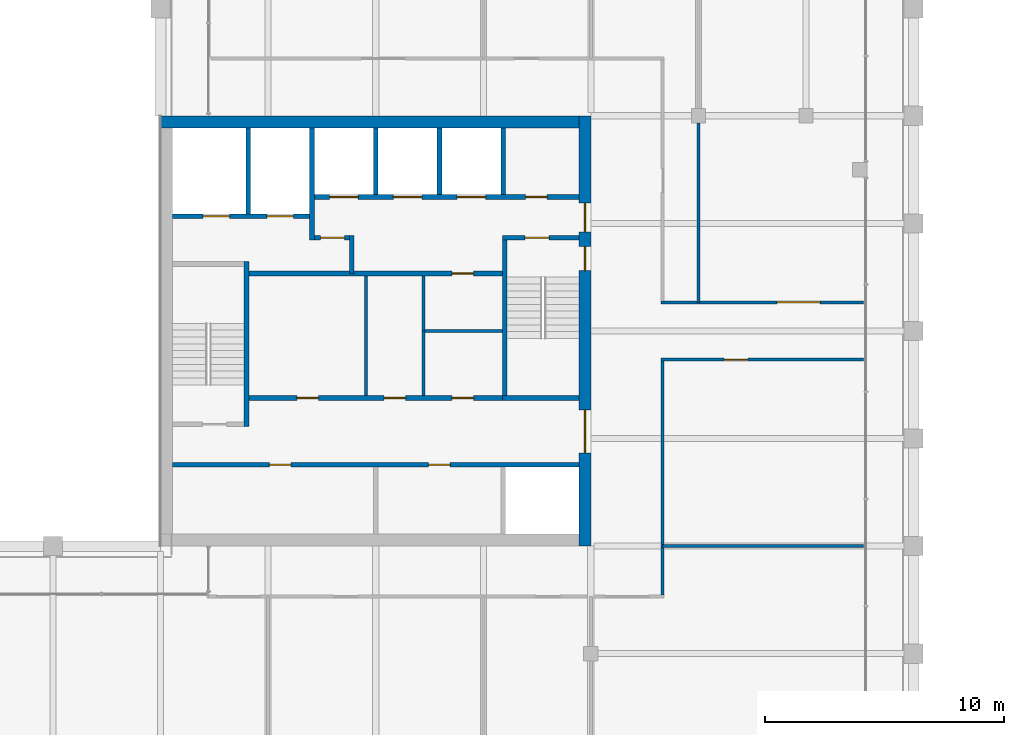
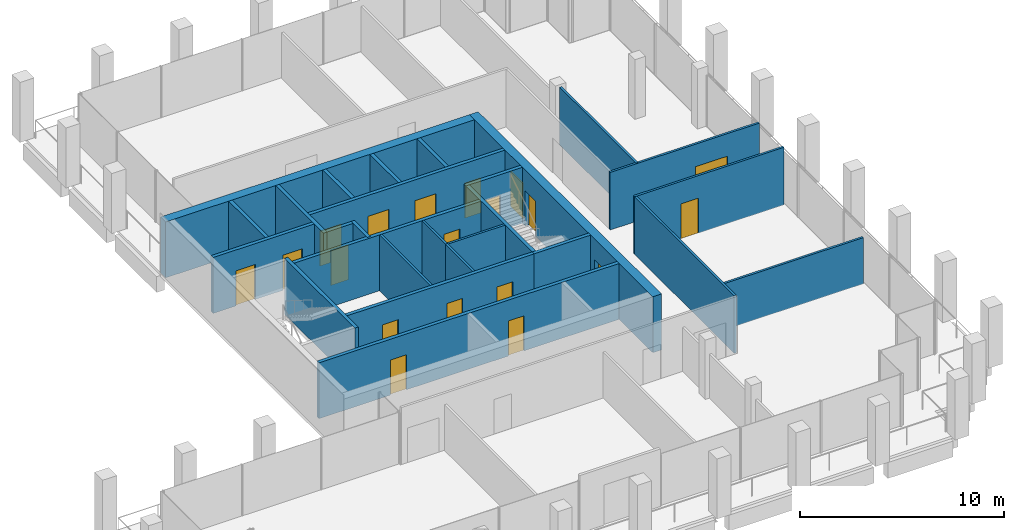
# One storey, part 36 of 40: 27 walls, 19 doors, 19 openings.
"""IFC4 building model written with IfcOpenShell, lengths in metres."""

from ifc_helpers import new_model, si_unit, direction, frame, frame_2d, origin, place, context, subcontext, project, spatial, rectangle, extrude, material, layer, layer_set, type_object, element, fill, save


model = new_model("IFC4")

# Units and contexts
model_context = context("Model", 3, precision=1e-05, world=origin(), true_north=direction((0.0, 1.0)))
body_context = subcontext(model_context, "Body", "Model", "MODEL_VIEW")
ifc_project = project(units=[si_unit("LENGTHUNIT", "METRE"), si_unit("AREAUNIT", "SQUARE_METRE"), si_unit("VOLUMEUNIT", "CUBIC_METRE"), si_unit("PLANEANGLEUNIT", "RADIAN"), si_unit("MASSUNIT", "GRAM", prefix="KILO")], contexts=[model_context])

# Site, building, storey
site_placement = place(None, origin())
site = spatial("IfcSite", under=ifc_project, at=site_placement, CompositionType="ELEMENT")
building_placement = place(site_placement, origin())
building = spatial("IfcBuilding", under=site, at=building_placement, Name="Altepetl Exchange Towers", CompositionType="ELEMENT")
storey_placement = place(building_placement, frame((0.0, 0.0, 202.800048828125)))
storey = spatial("IfcBuildingStorey", under=building, at=storey_placement, Name="L51", CompositionType="ELEMENT", Elevation=202.800048828125)

# Wall, openings, doors
ifc_material_1 = material(Name="Concrete C70/85", Category="concrete")
ifc_layer_1 = layer(ifc_material_1, 0.5)
ifc_layer_set_1 = layer_set([ifc_layer_1], Name="Concrete C70/85")
wall_type_1 = type_object("IfcWallType", Name="Core wall 500 reinforced concrete", PredefinedType="SHEAR", material=ifc_layer_set_1)
wall_1_placement = place(storey_placement, frame((58.25, 40.5, 0.0), z_axis=(0.0, 0.0, 1.0), x_axis=(0.0, 1.0, 0.0)))
wall_1 = element("IfcWall", 1, at=wall_1_placement, inside=storey, type_object=wall_type_1, Name="wall:A:L51:K-coreE", PredefinedType="SHEAR", context=body_context, shape_type="SweptSolid", body=[
    extrude(rectangle(XDim=18.0, YDim=0.5, at=frame_2d((9.0, 0.0))), origin(), (0.0, 0.0, 1.0), 3.349853515625),
])
opening_1_placement = place(wall_1_placement, frame((13.14990234375, 0.0, 0.0)))
opening_1 = element("IfcOpeningElement", 2, at=opening_1_placement, cuts=wall_1, Name="Opening L51.A60", PredefinedType="OPENING", context=body_context, shape_type="SweptSolid", body=[
    extrude(rectangle(XDim=1.199951171875, YDim=2.10009765625, at=frame_2d((0.60009765625, 1.050048828125))), frame((0.0, 0.260009765625, 0.0), z_axis=(0.0, -1.0, 0.0), x_axis=(1.0, 0.0, 0.0)), (0.0, 0.0, 1.0), 0.52001953125),
])
opening_2_placement = place(wall_1_placement, frame((3.89990234375, 0.0, 0.0)))
opening_2 = element("IfcOpeningElement", 3, at=opening_2_placement, cuts=wall_1, Name="Opening L51.A61", PredefinedType="OPENING", context=body_context, shape_type="SweptSolid", body=[
    extrude(rectangle(XDim=1.800048828125, YDim=2.10009765625, at=frame_2d((0.89990234375, 1.050048828125))), frame((0.0, 0.260009765625, 0.0), z_axis=(0.0, -1.0, 0.0), x_axis=(1.0, 0.0, 0.0)), (0.0, 0.0, 1.0), 0.52001953125),
])
opening_3_placement = place(wall_1_placement, frame((11.52490234375, 0.0, 0.0)))
opening_3 = element("IfcOpeningElement", 4, at=opening_3_placement, cuts=wall_1, Name="Opening L51.A64", PredefinedType="OPENING", context=body_context, shape_type="SweptSolid", body=[
    extrude(rectangle(XDim=1.0, YDim=2.10009765625, at=frame_2d((0.5, 1.050048828125))), frame((0.0, 0.260009765625, 0.0), z_axis=(0.0, -1.0, 0.0), x_axis=(1.0, 0.0, 0.0)), (0.0, 0.0, 1.0), 0.52001953125),
])
ifc_material_2 = material(Name="Steel and timber fire door", Category="steel")
door_type_1 = type_object("IfcDoorType", Name="Fire door 1000 x 2100 stair and lobby", OperationType="SINGLE_SWING_LEFT", PredefinedType="DOOR", material=ifc_material_2)
door_1_placement = place(opening_3_placement, origin())
door_1 = element("IfcDoor", 5, at=door_1_placement, inside=storey, type_object=door_type_1, Name="door:A:L51:K-dS2x", OperationType="SINGLE_SWING_RIGHT", OverallHeight=2.10009765625, OverallWidth=1.0, PredefinedType="DOOR", context=body_context, shape_type="SweptSolid", body=[
    extrude(rectangle(XDim=1.0, YDim=2.10009765625, at=frame_2d((0.5, 1.050048828125))), frame((0.0, 0.02490234375, 0.0), z_axis=(0.0, -1.0, 0.0), x_axis=(1.0, 0.0, 0.0)), (0.0, 0.0, 1.0), 0.050048828125),
])
fill(opening_3, door_1)
door_type_2 = type_object("IfcDoorType", Name="Fire door 1200 x 2100 lobby entry", OperationType="SINGLE_SWING_LEFT", PredefinedType="DOOR", material=ifc_material_2)
door_2_placement = place(opening_1_placement, origin())
door_2 = element("IfcDoor", 6, at=door_2_placement, inside=storey, type_object=door_type_2, Name="door:A:L51:K-dLNE", OperationType="SINGLE_SWING_RIGHT", OverallHeight=2.10009765625, OverallWidth=1.199951171875, PredefinedType="DOOR", context=body_context, shape_type="SweptSolid", body=[
    extrude(rectangle(XDim=1.199951171875, YDim=2.10009765625, at=frame_2d((0.60009765625, 1.050048828125))), frame((0.0, 0.02490234375, 0.0), z_axis=(0.0, -1.0, 0.0), x_axis=(1.0, 0.0, 0.0)), (0.0, 0.0, 1.0), 0.050048828125),
])
fill(opening_1, door_2)
door_type_3 = type_object("IfcDoorType", Name="Fire door 1800 x 2100 lobby entry", OperationType="DOUBLE_DOOR_SINGLE_SWING", PredefinedType="DOOR", material=ifc_material_2)
door_3_placement = place(opening_2_placement, origin())
door_3 = element("IfcDoor", 7, at=door_3_placement, inside=storey, type_object=door_type_3, Name="door:A:L51:K-dLSE", OperationType="DOUBLE_DOOR_SINGLE_SWING", OverallHeight=2.10009765625, OverallWidth=1.800048828125, PredefinedType="DOOR", context=body_context, shape_type="SweptSolid", body=[
    extrude(rectangle(XDim=1.800048828125, YDim=2.10009765625, at=frame_2d((0.89990234375, 1.050048828125))), frame((0.0, 0.02490234375, 0.0), z_axis=(0.0, -1.0, 0.0), x_axis=(1.0, 0.0, 0.0)), (0.0, 0.0, 1.0), 0.050048828125),
])
fill(opening_2, door_3)

# Walls
wall_2_placement = place(storey_placement, frame((40.5, 58.25, 0.0)))
element("IfcWall", 8, at=wall_2_placement, inside=storey, type_object=wall_type_1, Name="wall:A:L51:K-coreN", PredefinedType="SHEAR", context=body_context, shape_type="SweptSolid", body=[
    extrude(rectangle(XDim=17.5, YDim=0.5, at=frame_2d((8.75, 0.0))), origin(), (0.0, 0.0, 1.0), 3.349853515625),
])
ifc_material_3 = material(Name="Concrete blockwork", Category="masonry")
ifc_layer_2 = layer(ifc_material_3, 0.199951171875)
ifc_layer_set_2 = layer_set([ifc_layer_2], Name="Concrete blockwork")
wall_type_2 = type_object("IfcWallType", Name="Lobby wall 200 blockwork", PredefinedType="PARTITIONING", material=ifc_layer_set_2)
wall_3_placement = place(storey_placement, frame((48.5, 51.89990234375, 0.0), z_axis=(0.0, 0.0, 1.0), x_axis=(0.0, 1.0, 0.0)))
element("IfcWall", 9, at=wall_3_placement, inside=storey, type_object=wall_type_2, Name="wall:A:L51:K-ffE", PredefinedType="PARTITIONING", context=body_context, shape_type="SweptSolid", body=[
    extrude(rectangle(XDim=1.60009765625, YDim=0.199951171875, at=frame_2d((0.800048828125, 0.0))), origin(), (0.0, 0.0, 1.0), 3.349853515625),
])

# Wall, opening, door
wall_4_placement = place(storey_placement, frame((46.933349609375, 53.39990234375, 0.0)))
wall_4 = element("IfcWall", 10, at=wall_4_placement, inside=storey, type_object=wall_type_2, Name="wall:A:L51:K-ffN", PredefinedType="PARTITIONING", context=body_context, shape_type="SweptSolid", body=[
    extrude(rectangle(XDim=1.466552734375, YDim=0.199951171875, at=frame_2d((0.7333984375, 0.0))), origin(), (0.0, 0.0, 1.0), 3.349853515625),
])
opening_4_placement = place(wall_4_placement, frame((0.2666015625, 0.0, 0.0)))
opening_4 = element("IfcOpeningElement", 11, at=opening_4_placement, cuts=wall_4, Name="Opening L51.A65", PredefinedType="OPENING", context=body_context, shape_type="SweptSolid", body=[
    extrude(rectangle(XDim=1.0, YDim=2.10009765625, at=frame_2d((0.5, 1.050048828125))), frame((0.0, 0.10986328125, 0.0), z_axis=(0.0, -1.0, 0.0), x_axis=(1.0, 0.0, 0.0)), (0.0, 0.0, 1.0), 0.219970703125),
])
door_4_placement = place(opening_4_placement, frame((1.0, 0.0, 0.0), x_axis=(-1.0, 0.0, 0.0)))
door_4 = element("IfcDoor", 12, at=door_4_placement, inside=storey, type_object=door_type_1, Name="door:A:L51:K-dffN", OperationType="SINGLE_SWING_RIGHT", OverallHeight=2.10009765625, OverallWidth=1.0, PredefinedType="DOOR", context=body_context, shape_type="SweptSolid", body=[
    extrude(rectangle(XDim=1.0, YDim=2.10009765625, at=frame_2d((0.5, 1.050048828125))), frame((0.0, 0.02490234375, 0.0), z_axis=(0.0, -1.0, 0.0), x_axis=(1.0, 0.0, 0.0)), (0.0, 0.0, 1.0), 0.050048828125),
])
fill(opening_4, door_4)

wall_5_placement = place(storey_placement, frame((44.199951171875, 51.89990234375, 0.0)))
wall_5 = element("IfcWall", 13, at=wall_5_placement, inside=storey, type_object=wall_type_2, Name="wall:A:L51:K-zoneN", PredefinedType="PARTITIONING", context=body_context, shape_type="SweptSolid", body=[
    extrude(rectangle(XDim=10.60009765625, YDim=0.199951171875, at=frame_2d((5.300048828125, 0.0))), origin(), (0.0, 0.0, 1.0), 3.349853515625),
])
opening_5_placement = place(wall_5_placement, frame((8.5, 0.0, 0.0)))
opening_5 = element("IfcOpeningElement", 14, at=opening_5_placement, cuts=wall_5, Name="Opening L51.A71", PredefinedType="OPENING", context=body_context, shape_type="SweptSolid", body=[
    extrude(rectangle(XDim=0.89990234375, YDim=2.10009765625, at=frame_2d((0.449951171875, 1.050048828125))), frame((0.0, 0.10986328125, 0.0), z_axis=(0.0, -1.0, 0.0), x_axis=(1.0, 0.0, 0.0)), (0.0, 0.0, 1.0), 0.219970703125),
])
door_type_4 = type_object("IfcDoorType", Name="Fire door 900 x 2100 service room", OperationType="SINGLE_SWING_LEFT", PredefinedType="DOOR", material=ifc_material_2)
door_5_placement = place(opening_5_placement, frame((0.89990234375, 0.0, 0.0), x_axis=(-1.0, 0.0, 0.0)))
door_5 = element("IfcDoor", 15, at=door_5_placement, inside=storey, type_object=door_type_4, Name="door:A:L51:K-dz3", OperationType="SINGLE_SWING_LEFT", OverallHeight=2.10009765625, OverallWidth=0.89990234375, PredefinedType="DOOR", context=body_context, shape_type="SweptSolid", body=[
    extrude(rectangle(XDim=0.89990234375, YDim=2.10009765625, at=frame_2d((0.449951171875, 1.050048828125))), frame((0.0, 0.02490234375, 0.0), z_axis=(0.0, -1.0, 0.0), x_axis=(1.0, 0.0, 0.0)), (0.0, 0.0, 1.0), 0.050048828125),
])
fill(opening_5, door_5)

# Wall, openings, doors
wall_6_placement = place(storey_placement, frame((44.199951171875, 46.699951171875, 0.0)))
wall_6 = element("IfcWall", 16, at=wall_6_placement, inside=storey, type_object=wall_type_2, Name="wall:A:L51:K-zoneS", PredefinedType="PARTITIONING", context=body_context, shape_type="SweptSolid", body=[
    extrude(rectangle(XDim=10.60009765625, YDim=0.199951171875, at=frame_2d((5.300048828125, 0.0))), origin(), (0.0, 0.0, 1.0), 3.349853515625),
])
opening_6_placement = place(wall_6_placement, frame((2.0, 0.0, 0.0)))
opening_6 = element("IfcOpeningElement", 17, at=opening_6_placement, cuts=wall_6, Name="Opening L51.A69", PredefinedType="OPENING", context=body_context, shape_type="SweptSolid", body=[
    extrude(rectangle(XDim=0.89990234375, YDim=2.10009765625, at=frame_2d((0.449951171875, 1.050048828125))), frame((0.0, 0.10986328125, 0.0), z_axis=(0.0, -1.0, 0.0), x_axis=(1.0, 0.0, 0.0)), (0.0, 0.0, 1.0), 0.219970703125),
])
opening_7_placement = place(wall_6_placement, frame((5.64990234375, 0.0, 0.0)))
opening_7 = element("IfcOpeningElement", 18, at=opening_7_placement, cuts=wall_6, Name="Opening L51.A70", PredefinedType="OPENING", context=body_context, shape_type="SweptSolid", body=[
    extrude(rectangle(XDim=0.89990234375, YDim=2.10009765625, at=frame_2d((0.449951171875, 1.050048828125))), frame((0.0, 0.10986328125, 0.0), z_axis=(0.0, -1.0, 0.0), x_axis=(1.0, 0.0, 0.0)), (0.0, 0.0, 1.0), 0.219970703125),
])
opening_8_placement = place(wall_6_placement, frame((8.5, 0.0, 0.0)))
opening_8 = element("IfcOpeningElement", 19, at=opening_8_placement, cuts=wall_6, Name="Opening L51.A72", PredefinedType="OPENING", context=body_context, shape_type="SweptSolid", body=[
    extrude(rectangle(XDim=0.89990234375, YDim=2.10009765625, at=frame_2d((0.449951171875, 1.050048828125))), frame((0.0, 0.10986328125, 0.0), z_axis=(0.0, -1.0, 0.0), x_axis=(1.0, 0.0, 0.0)), (0.0, 0.0, 1.0), 0.219970703125),
])
door_6_placement = place(opening_6_placement, origin())
door_6 = element("IfcDoor", 20, at=door_6_placement, inside=storey, type_object=door_type_4, Name="door:A:L51:K-dz1", OperationType="SINGLE_SWING_LEFT", OverallHeight=2.10009765625, OverallWidth=0.89990234375, PredefinedType="DOOR", context=body_context, shape_type="SweptSolid", body=[
    extrude(rectangle(XDim=0.89990234375, YDim=2.10009765625, at=frame_2d((0.449951171875, 1.050048828125))), frame((0.0, 0.02490234375, 0.0), z_axis=(0.0, -1.0, 0.0), x_axis=(1.0, 0.0, 0.0)), (0.0, 0.0, 1.0), 0.050048828125),
])
fill(opening_6, door_6)
door_7_placement = place(opening_7_placement, origin())
door_7 = element("IfcDoor", 21, at=door_7_placement, inside=storey, type_object=door_type_4, Name="door:A:L51:K-dz2", OperationType="SINGLE_SWING_RIGHT", OverallHeight=2.10009765625, OverallWidth=0.89990234375, PredefinedType="DOOR", context=body_context, shape_type="SweptSolid", body=[
    extrude(rectangle(XDim=0.89990234375, YDim=2.10009765625, at=frame_2d((0.449951171875, 1.050048828125))), frame((0.0, 0.02490234375, 0.0), z_axis=(0.0, -1.0, 0.0), x_axis=(1.0, 0.0, 0.0)), (0.0, 0.0, 1.0), 0.050048828125),
])
fill(opening_7, door_7)
door_8_placement = place(opening_8_placement, origin())
door_8 = element("IfcDoor", 22, at=door_8_placement, inside=storey, type_object=door_type_4, Name="door:A:L51:K-dz4", OperationType="SINGLE_SWING_RIGHT", OverallHeight=2.10009765625, OverallWidth=0.89990234375, PredefinedType="DOOR", context=body_context, shape_type="SweptSolid", body=[
    extrude(rectangle(XDim=0.89990234375, YDim=2.10009765625, at=frame_2d((0.449951171875, 1.050048828125))), frame((0.0, 0.02490234375, 0.0), z_axis=(0.0, -1.0, 0.0), x_axis=(1.0, 0.0, 0.0)), (0.0, 0.0, 1.0), 0.050048828125),
])
fill(opening_8, door_8)

# Walls
ifc_material_4 = material(Name="Gypsum board on steel studs", Category="steel")
ifc_layer_3 = layer(ifc_material_4, 0.125)
ifc_layer_set_3 = layer_set([ifc_layer_3], Name="Gypsum board on steel studs")
wall_type_3 = type_object("IfcWallType", Name="Partition 125 gypsum board on steel studs", PredefinedType="PARTITIONING", material=ifc_layer_set_3)
wall_7_placement = place(storey_placement, frame((49.10009765625, 46.800048828125, 0.0), z_axis=(0.0, 0.0, 1.0), x_axis=(0.0, 1.0, 0.0)))
element("IfcWall", 23, at=wall_7_placement, inside=storey, type_object=wall_type_3, Name="wall:A:L51:K-zp1", PredefinedType="PARTITIONING", context=body_context, shape_type="SweptSolid", body=[
    extrude(rectangle(XDim=5.0, YDim=0.125, at=frame_2d((2.5, 0.0))), origin(), (0.0, 0.0, 1.0), 3.349853515625),
])
wall_8_placement = place(storey_placement, frame((51.5, 46.800048828125, 0.0), z_axis=(0.0, 0.0, 1.0), x_axis=(0.0, 1.0, 0.0)))
element("IfcWall", 24, at=wall_8_placement, inside=storey, type_object=wall_type_3, Name="wall:A:L51:K-zp2", PredefinedType="PARTITIONING", context=body_context, shape_type="SweptSolid", body=[
    extrude(rectangle(XDim=2.762451171875, YDim=0.125, at=frame_2d((1.38134765625, 0.0))), origin(), (0.0, 0.0, 1.0), 3.349853515625),
])
wall_9_placement = place(storey_placement, frame((51.5625, 49.5, 0.0)))
element("IfcWall", 25, at=wall_9_placement, inside=storey, type_object=wall_type_3, Name="wall:A:L51:K-zp3", PredefinedType="PARTITIONING", context=body_context, shape_type="SweptSolid", body=[
    extrude(rectangle(XDim=3.237548828125, YDim=0.125, at=frame_2d((1.61865234375, 0.0))), origin(), (0.0, 0.0, 1.0), 3.349853515625),
])
wall_10_placement = place(storey_placement, frame((51.5, 49.5, 0.0), z_axis=(0.0, 0.0, 1.0), x_axis=(0.0, 1.0, 0.0)))
element("IfcWall", 26, at=wall_10_placement, inside=storey, type_object=wall_type_3, Name="wall:A:L51:K-zp4", PredefinedType="PARTITIONING", context=body_context, shape_type="SweptSolid", body=[
    extrude(rectangle(XDim=2.300048828125, YDim=0.125, at=frame_2d((1.14990234375, 0.0))), origin(), (0.0, 0.0, 1.0), 3.349853515625),
])
wall_11_placement = place(storey_placement, frame((61.5, 40.5, 0.0)))
element("IfcWall", 27, at=wall_11_placement, inside=storey, type_object=wall_type_3, Name="wall:A:L51:P02", PredefinedType="PARTITIONING", context=body_context, shape_type="SweptSolid", body=[
    extrude(rectangle(XDim=8.39990234375, YDim=0.125, at=frame_2d((4.199951171875, 0.0))), origin(), (0.0, 0.0, 1.0), 2.77197265625),
])

# Wall, opening, door
wall_12_placement = place(storey_placement, frame((61.4375, 48.300048828125, 0.0)))
wall_12 = element("IfcWall", 28, at=wall_12_placement, inside=storey, type_object=wall_type_3, Name="wall:A:L51:P03", PredefinedType="PARTITIONING", context=body_context, shape_type="SweptSolid", body=[
    extrude(rectangle(XDim=8.46240234375, YDim=0.125, at=frame_2d((4.231201171875, 0.0))), origin(), (0.0, 0.0, 1.0), 3.449951171875),
])
opening_9_placement = place(wall_12_placement, frame((2.62451171875, 0.0, 0.0)))
opening_9 = element("IfcOpeningElement", 29, at=opening_9_placement, cuts=wall_12, Name="Opening L51.A05", PredefinedType="OPENING", context=body_context, shape_type="SweptSolid", body=[
    extrude(rectangle(XDim=1.0, YDim=2.10009765625, at=frame_2d((0.5, 1.050048828125))), frame((0.0, 0.072509765625, 0.0), z_axis=(0.0, -1.0, 0.0), x_axis=(1.0, 0.0, 0.0)), (0.0, 0.0, 1.0), 0.14501953125),
])
door_type_5 = type_object("IfcDoorType", Name="Fire door 1000 x 2100 single leaf", OperationType="SINGLE_SWING_LEFT", PredefinedType="DOOR", material=ifc_material_2)
door_9_placement = place(opening_9_placement, frame((1.0, 0.0, 0.0), x_axis=(-1.0, 0.0, 0.0)))
door_9 = element("IfcDoor", 30, at=door_9_placement, inside=storey, type_object=door_type_5, Name="door:A:L51:05", OperationType="SINGLE_SWING_LEFT", OverallHeight=2.10009765625, OverallWidth=1.0, PredefinedType="DOOR", context=body_context, shape_type="SweptSolid", body=[
    extrude(rectangle(XDim=1.0, YDim=2.10009765625, at=frame_2d((0.5, 1.050048828125))), frame((0.0, 0.02490234375, 0.0), z_axis=(0.0, -1.0, 0.0), x_axis=(1.0, 0.0, 0.0)), (0.0, 0.0, 1.0), 0.050048828125),
])
fill(opening_9, door_9)

wall_13_placement = place(storey_placement, frame((61.4375, 50.699951171875, 0.0)))
wall_13 = element("IfcWall", 31, at=wall_13_placement, inside=storey, type_object=wall_type_3, Name="wall:A:L51:P04", PredefinedType="PARTITIONING", context=body_context, shape_type="SweptSolid", body=[
    extrude(rectangle(XDim=8.46240234375, YDim=0.125, at=frame_2d((4.231201171875, 0.0))), origin(), (0.0, 0.0, 1.0), 3.449951171875),
])
opening_10_placement = place(wall_13_placement, frame((4.847412109375, 0.0, 0.0)))
opening_10 = element("IfcOpeningElement", 32, at=opening_10_placement, cuts=wall_13, Name="Opening L51.A06", PredefinedType="OPENING", context=body_context, shape_type="SweptSolid", body=[
    extrude(rectangle(XDim=1.800048828125, YDim=2.10009765625, at=frame_2d((0.89990234375, 1.050048828125))), frame((0.0, 0.072509765625, 0.0), z_axis=(0.0, -1.0, 0.0), x_axis=(1.0, 0.0, 0.0)), (0.0, 0.0, 1.0), 0.14501953125),
])
door_type_6 = type_object("IfcDoorType", Name="Fire door 1800 x 2100 double leaf", OperationType="DOUBLE_DOOR_SINGLE_SWING", PredefinedType="DOOR", material=ifc_material_2)
door_10_placement = place(opening_10_placement, origin())
door_10 = element("IfcDoor", 33, at=door_10_placement, inside=storey, type_object=door_type_6, Name="door:A:L51:06", OperationType="DOUBLE_DOOR_SINGLE_SWING", OverallHeight=2.10009765625, OverallWidth=1.800048828125, PredefinedType="DOOR", context=body_context, shape_type="SweptSolid", body=[
    extrude(rectangle(XDim=1.800048828125, YDim=2.10009765625, at=frame_2d((0.89990234375, 1.050048828125))), frame((0.0, 0.02490234375, 0.0), z_axis=(0.0, -1.0, 0.0), x_axis=(1.0, 0.0, 0.0)), (0.0, 0.0, 1.0), 0.050048828125),
])
fill(opening_10, door_10)

# Walls
wall_14_placement = place(storey_placement, frame((61.5, 38.46240234375, 0.0), z_axis=(0.0, 0.0, 1.0), x_axis=(0.0, 1.0, 0.0)))
element("IfcWall", 34, at=wall_14_placement, inside=storey, type_object=wall_type_3, Name="wall:A:L51:P13", PredefinedType="PARTITIONING", context=body_context, shape_type="SweptSolid", body=[
    extrude(rectangle(XDim=9.775146484375, YDim=0.125, at=frame_2d((4.8876953125, 0.0))), origin(), (0.0, 0.0, 1.0), 3.449951171875),
])
wall_15_placement = place(storey_placement, frame((63.0, 50.699951171875, 0.0), z_axis=(0.0, 0.0, 1.0), x_axis=(0.0, 1.0, 0.0)))
element("IfcWall", 35, at=wall_15_placement, inside=storey, type_object=wall_type_3, Name="wall:A:L51:P15", PredefinedType="PARTITIONING", context=body_context, shape_type="SweptSolid", body=[
    extrude(rectangle(XDim=7.5, YDim=0.125, at=frame_2d((3.75, 0.0))), origin(), (0.0, 0.0, 1.0), 3.449951171875),
])
ifc_material_5 = material(Name="Concrete C40/50", Category="concrete")
ifc_layer_4 = layer(ifc_material_5, 0.199951171875)
ifc_layer_set_4 = layer_set([ifc_layer_4], Name="Concrete C40/50")
wall_type_4 = type_object("IfcWallType", Name="Shaft wall 200 reinforced concrete", PredefinedType="SHEAR", material=ifc_layer_set_4)
wall_16_placement = place(storey_placement, frame((44.166748046875, 58.0, 0.0), z_axis=(0.0, 0.0, 1.0), x_axis=(0.0, -1.0, 0.0)))
element("IfcWall", 36, at=wall_16_placement, inside=storey, type_object=wall_type_4, Name="wall:A:L51:K-divN1", PredefinedType="SHEAR", context=body_context, shape_type="SweptSolid", body=[
    extrude(rectangle(XDim=3.60009765625, YDim=0.199951171875, at=frame_2d((1.800048828125, 0.0))), origin(), (0.0, 0.0, 1.0), 3.349853515625),
])
wall_17_placement = place(storey_placement, frame((46.833251953125, 58.0, 0.0), z_axis=(0.0, 0.0, 1.0), x_axis=(0.0, -1.0, 0.0)))
element("IfcWall", 37, at=wall_17_placement, inside=storey, type_object=wall_type_4, Name="wall:A:L51:K-divN2", PredefinedType="SHEAR", context=body_context, shape_type="SweptSolid", body=[
    extrude(rectangle(XDim=4.699951171875, YDim=0.199951171875, at=frame_2d((2.35009765625, 0.0))), origin(), (0.0, 0.0, 1.0), 3.349853515625),
])
for number, where, z_axis, x_axis, name in (
    (38, (49.5, 58.0, 0.0), (0.0, 0.0, 1.0), (0.0, -1.0, 0.0), "wall:A:L51:K-divN3"),
    (39, (52.166748046875, 58.0, 0.0), (0.0, 0.0, 1.0), (0.0, -1.0, 0.0), "wall:A:L51:K-divN4"),
    (40, (54.833251953125, 58.0, 0.0), (0.0, 0.0, 1.0), (0.0, -1.0, 0.0), "wall:A:L51:K-divN5"),
):
    element("IfcWall", number, at=place(storey_placement, frame(where, z_axis=z_axis, x_axis=x_axis)), inside=storey, type_object=wall_type_4, Name=name, PredefinedType="SHEAR", context=body_context, shape_type="SweptSolid", body=[
        extrude(rectangle(XDim=2.800048828125, YDim=0.199951171875, at=frame_2d((1.39990234375, 0.0))), origin(), (0.0, 0.0, 1.0), 3.349853515625),
    ])

# Wall, openings, doors
wall_18_placement = place(storey_placement, frame((46.933349609375, 55.10009765625, 0.0)))
wall_18 = element("IfcWall", 41, at=wall_18_placement, inside=storey, type_object=wall_type_4, Name="wall:A:L51:K-frontNb", PredefinedType="SHEAR", context=body_context, shape_type="SweptSolid", body=[
    extrude(rectangle(XDim=11.066650390625, YDim=0.199951171875, at=frame_2d((5.533203125, 0.0))), origin(), (0.0, 0.0, 1.0), 3.349853515625),
])
opening_11_placement = place(wall_18_placement, frame((8.83349609375, 0.0, 0.0)))
opening_11 = element("IfcOpeningElement", 42, at=opening_11_placement, cuts=wall_18, Name="Opening L51.A66", PredefinedType="OPENING", context=body_context, shape_type="SweptSolid", body=[
    extrude(rectangle(XDim=0.89990234375, YDim=2.10009765625, at=frame_2d((0.449951171875, 1.050048828125))), frame((0.0, 0.10986328125, 0.0), z_axis=(0.0, -1.0, 0.0), x_axis=(1.0, 0.0, 0.0)), (0.0, 0.0, 1.0), 0.219970703125),
])
opening_12_placement = place(wall_18_placement, frame((0.63330078125, 0.0, 0.0)))
opening_12 = element("IfcOpeningElement", 43, at=opening_12_placement, cuts=wall_18, Name="Opening L51.A75", PredefinedType="OPENING", context=body_context, shape_type="SweptSolid", body=[
    extrude(rectangle(XDim=1.199951171875, YDim=2.10009765625, at=frame_2d((0.60009765625, 1.050048828125))), frame((0.0, 0.10986328125, 0.0), z_axis=(0.0, -1.0, 0.0), x_axis=(1.0, 0.0, 0.0)), (0.0, 0.0, 1.0), 0.219970703125),
])
opening_13_placement = place(wall_18_placement, frame((3.300048828125, 0.0, 0.0)))
opening_13 = element("IfcOpeningElement", 44, at=opening_13_placement, cuts=wall_18, Name="Opening L51.A76", PredefinedType="OPENING", context=body_context, shape_type="SweptSolid", body=[
    extrude(rectangle(XDim=1.199951171875, YDim=2.10009765625, at=frame_2d((0.60009765625, 1.050048828125))), frame((0.0, 0.10986328125, 0.0), z_axis=(0.0, -1.0, 0.0), x_axis=(1.0, 0.0, 0.0)), (0.0, 0.0, 1.0), 0.219970703125),
])
opening_14_placement = place(wall_18_placement, frame((5.966796875, 0.0, 0.0)))
opening_14 = element("IfcOpeningElement", 45, at=opening_14_placement, cuts=wall_18, Name="Opening L51.A77", PredefinedType="OPENING", context=body_context, shape_type="SweptSolid", body=[
    extrude(rectangle(XDim=1.199951171875, YDim=2.10009765625, at=frame_2d((0.60009765625, 1.050048828125))), frame((0.0, 0.10986328125, 0.0), z_axis=(0.0, -1.0, 0.0), x_axis=(1.0, 0.0, 0.0)), (0.0, 0.0, 1.0), 0.219970703125),
])
door_11_placement = place(opening_11_placement, origin())
door_11 = element("IfcDoor", 46, at=door_11_placement, inside=storey, type_object=door_type_4, Name="door:A:L51:K-driser", OperationType="SINGLE_SWING_RIGHT", OverallHeight=2.10009765625, OverallWidth=0.89990234375, PredefinedType="DOOR", context=body_context, shape_type="SweptSolid", body=[
    extrude(rectangle(XDim=0.89990234375, YDim=2.10009765625, at=frame_2d((0.449951171875, 1.050048828125))), frame((0.0, 0.02490234375, 0.0), z_axis=(0.0, -1.0, 0.0), x_axis=(1.0, 0.0, 0.0)), (0.0, 0.0, 1.0), 0.050048828125),
])
fill(opening_11, door_11)
ifc_material_6 = material(Name="Stainless steel", Category="steel")
door_type_7 = type_object("IfcDoorType", Name="Lift landing door 1200 x 2100", OperationType="SLIDING_TO_LEFT", PredefinedType="DOOR", material=ifc_material_6)
door_12_placement = place(opening_12_placement, origin())
door_12 = element("IfcDoor", 47, at=door_12_placement, inside=storey, type_object=door_type_7, Name="Landing door P5", OperationType="SLIDING_TO_LEFT", OverallHeight=2.10009765625, OverallWidth=1.199951171875, PredefinedType="DOOR", context=body_context, shape_type="SweptSolid", body=[
    extrude(rectangle(XDim=1.199951171875, YDim=2.10009765625, at=frame_2d((0.60009765625, 1.050048828125))), frame((0.0, 0.02490234375, 0.0), z_axis=(0.0, -1.0, 0.0), x_axis=(1.0, 0.0, 0.0)), (0.0, 0.0, 1.0), 0.050048828125),
])
fill(opening_12, door_12)
door_13_placement = place(opening_13_placement, origin())
door_13 = element("IfcDoor", 48, at=door_13_placement, inside=storey, type_object=door_type_7, Name="Landing door P6", OperationType="SLIDING_TO_LEFT", OverallHeight=2.10009765625, OverallWidth=1.199951171875, PredefinedType="DOOR", context=body_context, shape_type="SweptSolid", body=[
    extrude(rectangle(XDim=1.199951171875, YDim=2.10009765625, at=frame_2d((0.60009765625, 1.050048828125))), frame((0.0, 0.02490234375, 0.0), z_axis=(0.0, -1.0, 0.0), x_axis=(1.0, 0.0, 0.0)), (0.0, 0.0, 1.0), 0.050048828125),
])
fill(opening_13, door_13)
door_14_placement = place(opening_14_placement, origin())
door_14 = element("IfcDoor", 49, at=door_14_placement, inside=storey, type_object=door_type_7, Name="Landing door P7", OperationType="SLIDING_TO_LEFT", OverallHeight=2.10009765625, OverallWidth=1.199951171875, PredefinedType="DOOR", context=body_context, shape_type="SweptSolid", body=[
    extrude(rectangle(XDim=1.199951171875, YDim=2.10009765625, at=frame_2d((0.60009765625, 1.050048828125))), frame((0.0, 0.02490234375, 0.0), z_axis=(0.0, -1.0, 0.0), x_axis=(1.0, 0.0, 0.0)), (0.0, 0.0, 1.0), 0.050048828125),
])
fill(opening_14, door_14)

wall_19_placement = place(storey_placement, frame((41.0, 54.300048828125, 0.0)))
wall_19 = element("IfcWall", 50, at=wall_19_placement, inside=storey, type_object=wall_type_4, Name="wall:A:L51:K-frontNd", PredefinedType="SHEAR", context=body_context, shape_type="SweptSolid", body=[
    extrude(rectangle(XDim=5.7333984375, YDim=0.199951171875, at=frame_2d((2.86669921875, 0.0))), origin(), (0.0, 0.0, 1.0), 3.349853515625),
])
opening_15_placement = place(wall_19_placement, frame((1.283203125, 0.0, 0.0)))
opening_15 = element("IfcOpeningElement", 51, at=opening_15_placement, cuts=wall_19, Name="Opening L51.A73", PredefinedType="OPENING", context=body_context, shape_type="SweptSolid", body=[
    extrude(rectangle(XDim=1.10009765625, YDim=2.10009765625, at=frame_2d((0.550048828125, 1.050048828125))), frame((0.0, 0.10986328125, 0.0), z_axis=(0.0, -1.0, 0.0), x_axis=(1.0, 0.0, 0.0)), (0.0, 0.0, 1.0), 0.219970703125),
])
opening_16_placement = place(wall_19_placement, frame((3.949951171875, 0.0, 0.0)))
opening_16 = element("IfcOpeningElement", 52, at=opening_16_placement, cuts=wall_19, Name="Opening L51.A74", PredefinedType="OPENING", context=body_context, shape_type="SweptSolid", body=[
    extrude(rectangle(XDim=1.10009765625, YDim=2.10009765625, at=frame_2d((0.550048828125, 1.050048828125))), frame((0.0, 0.10986328125, 0.0), z_axis=(0.0, -1.0, 0.0), x_axis=(1.0, 0.0, 0.0)), (0.0, 0.0, 1.0), 0.219970703125),
])
door_type_8 = type_object("IfcDoorType", Name="Lift landing door 1100 x 2100", OperationType="SLIDING_TO_LEFT", PredefinedType="DOOR", material=ifc_material_6)
door_15_placement = place(opening_15_placement, origin())
door_15 = element("IfcDoor", 53, at=door_15_placement, inside=storey, type_object=door_type_8, Name="Landing door FFL1", OperationType="SLIDING_TO_LEFT", OverallHeight=2.10009765625, OverallWidth=1.10009765625, PredefinedType="DOOR", context=body_context, shape_type="SweptSolid", body=[
    extrude(rectangle(XDim=1.10009765625, YDim=2.10009765625, at=frame_2d((0.550048828125, 1.050048828125))), frame((0.0, 0.02490234375, 0.0), z_axis=(0.0, -1.0, 0.0), x_axis=(1.0, 0.0, 0.0)), (0.0, 0.0, 1.0), 0.050048828125),
])
fill(opening_15, door_15)
door_16_placement = place(opening_16_placement, origin())
door_16 = element("IfcDoor", 54, at=door_16_placement, inside=storey, type_object=door_type_8, Name="Landing door FFL2", OperationType="SLIDING_TO_LEFT", OverallHeight=2.10009765625, OverallWidth=1.10009765625, PredefinedType="DOOR", context=body_context, shape_type="SweptSolid", body=[
    extrude(rectangle(XDim=1.10009765625, YDim=2.10009765625, at=frame_2d((0.550048828125, 1.050048828125))), frame((0.0, 0.02490234375, 0.0), z_axis=(0.0, -1.0, 0.0), x_axis=(1.0, 0.0, 0.0)), (0.0, 0.0, 1.0), 0.050048828125),
])
fill(opening_16, door_16)

wall_20_placement = place(storey_placement, frame((41.0, 43.89990234375, 0.0)))
wall_20 = element("IfcWall", 55, at=wall_20_placement, inside=storey, type_object=wall_type_4, Name="wall:A:L51:K-frontS", PredefinedType="SHEAR", context=body_context, shape_type="SweptSolid", body=[
    extrude(rectangle(XDim=17.0, YDim=0.199951171875, at=frame_2d((8.5, 0.0))), origin(), (0.0, 0.0, 1.0), 3.349853515625),
])
opening_17_placement = place(wall_20_placement, frame((4.050048828125, 0.0, 0.0)))
opening_17 = element("IfcOpeningElement", 56, at=opening_17_placement, cuts=wall_20, Name="Opening L51.A67", PredefinedType="OPENING", context=body_context, shape_type="SweptSolid", body=[
    extrude(rectangle(XDim=0.89990234375, YDim=2.10009765625, at=frame_2d((0.449951171875, 1.050048828125))), frame((0.0, 0.10986328125, 0.0), z_axis=(0.0, -1.0, 0.0), x_axis=(1.0, 0.0, 0.0)), (0.0, 0.0, 1.0), 0.219970703125),
])
opening_18_placement = place(wall_20_placement, frame((10.716796875, 0.0, 0.0)))
opening_18 = element("IfcOpeningElement", 57, at=opening_18_placement, cuts=wall_20, Name="Opening L51.A68", PredefinedType="OPENING", context=body_context, shape_type="SweptSolid", body=[
    extrude(rectangle(XDim=0.89990234375, YDim=2.10009765625, at=frame_2d((0.449951171875, 1.050048828125))), frame((0.0, 0.10986328125, 0.0), z_axis=(0.0, -1.0, 0.0), x_axis=(1.0, 0.0, 0.0)), (0.0, 0.0, 1.0), 0.219970703125),
])
door_17_placement = place(opening_17_placement, frame((0.89990234375, 0.0, 0.0), x_axis=(-1.0, 0.0, 0.0)))
door_17 = element("IfcDoor", 58, at=door_17_placement, inside=storey, type_object=door_type_4, Name="door:A:L51:K-dslotS0", OperationType="SINGLE_SWING_LEFT", OverallHeight=2.10009765625, OverallWidth=0.89990234375, PredefinedType="DOOR", context=body_context, shape_type="SweptSolid", body=[
    extrude(rectangle(XDim=0.89990234375, YDim=2.10009765625, at=frame_2d((0.449951171875, 1.050048828125))), frame((0.0, 0.02490234375, 0.0), z_axis=(0.0, -1.0, 0.0), x_axis=(1.0, 0.0, 0.0)), (0.0, 0.0, 1.0), 0.050048828125),
])
fill(opening_17, door_17)
door_18_placement = place(opening_18_placement, frame((0.89990234375, 0.0, 0.0), x_axis=(-1.0, 0.0, 0.0)))
door_18 = element("IfcDoor", 59, at=door_18_placement, inside=storey, type_object=door_type_4, Name="door:A:L51:K-dslotS3", OperationType="SINGLE_SWING_LEFT", OverallHeight=2.10009765625, OverallWidth=0.89990234375, PredefinedType="DOOR", context=body_context, shape_type="SweptSolid", body=[
    extrude(rectangle(XDim=0.89990234375, YDim=2.10009765625, at=frame_2d((0.449951171875, 1.050048828125))), frame((0.0, 0.02490234375, 0.0), z_axis=(0.0, -1.0, 0.0), x_axis=(1.0, 0.0, 0.0)), (0.0, 0.0, 1.0), 0.050048828125),
])
fill(opening_18, door_18)

# Wall
ifc_layer_5 = layer(ifc_material_5, 0.199951171875)
ifc_layer_set_5 = layer_set([ifc_layer_5], Name="Concrete C40/50")
wall_type_5 = type_object("IfcWallType", Name="Stair wall 200 reinforced concrete", PredefinedType="SHEAR", material=ifc_layer_set_5)
wall_21_placement = place(storey_placement, frame((44.10009765625, 45.5, 0.0), z_axis=(0.0, 0.0, 1.0), x_axis=(0.0, 1.0, 0.0)))
element("IfcWall", 60, at=wall_21_placement, inside=storey, type_object=wall_type_5, Name="wall:A:L51:K-stS1E", PredefinedType="SHEAR", context=body_context, shape_type="SweptSolid", body=[
    extrude(rectangle(XDim=6.89990234375, YDim=0.199951171875, at=frame_2d((3.449951171875, 0.0))), origin(), (0.0, 0.0, 1.0), 3.349853515625),
])

# Wall, opening, door
wall_22_placement = place(storey_placement, frame((54.800048828125, 53.39990234375, 0.0)))
wall_22 = element("IfcWall", 61, at=wall_22_placement, inside=storey, type_object=wall_type_5, Name="wall:A:L51:K-stS2N", PredefinedType="SHEAR", context=body_context, shape_type="SweptSolid", body=[
    extrude(rectangle(XDim=3.199951171875, YDim=0.199951171875, at=frame_2d((1.60009765625, 0.0))), origin(), (0.0, 0.0, 1.0), 3.349853515625),
])
opening_19_placement = place(wall_22_placement, frame((0.949951171875, 0.0, 0.0)))
opening_19 = element("IfcOpeningElement", 62, at=opening_19_placement, cuts=wall_22, Name="Opening L51.A63", PredefinedType="OPENING", context=body_context, shape_type="SweptSolid", body=[
    extrude(rectangle(XDim=1.0, YDim=2.10009765625, at=frame_2d((0.5, 1.050048828125))), frame((0.0, 0.10986328125, 0.0), z_axis=(0.0, -1.0, 0.0), x_axis=(1.0, 0.0, 0.0)), (0.0, 0.0, 1.0), 0.219970703125),
])
door_19_placement = place(opening_19_placement, frame((1.0, 0.0, 0.0), x_axis=(-1.0, 0.0, 0.0)))
door_19 = element("IfcDoor", 63, at=door_19_placement, inside=storey, type_object=door_type_1, Name="door:A:L51:K-dS2in", OperationType="SINGLE_SWING_LEFT", OverallHeight=2.10009765625, OverallWidth=1.0, PredefinedType="DOOR", context=body_context, shape_type="SweptSolid", body=[
    extrude(rectangle(XDim=1.0, YDim=2.10009765625, at=frame_2d((0.5, 1.050048828125))), frame((0.0, 0.02490234375, 0.0), z_axis=(0.0, -1.0, 0.0), x_axis=(1.0, 0.0, 0.0)), (0.0, 0.0, 1.0), 0.050048828125),
])
fill(opening_19, door_19)

# Walls
wall_23_placement = place(storey_placement, frame((54.800048828125, 46.699951171875, 0.0)))
element("IfcWall", 64, at=wall_23_placement, inside=storey, type_object=wall_type_5, Name="wall:A:L51:K-stS2S", PredefinedType="SHEAR", context=body_context, shape_type="SweptSolid", body=[
    extrude(rectangle(XDim=3.199951171875, YDim=0.199951171875, at=frame_2d((1.60009765625, 0.0))), origin(), (0.0, 0.0, 1.0), 3.349853515625),
])
wall_24_placement = place(storey_placement, frame((54.89990234375, 46.800048828125, 0.0), z_axis=(0.0, 0.0, 1.0), x_axis=(0.0, 1.0, 0.0)))
element("IfcWall", 65, at=wall_24_placement, inside=storey, type_object=wall_type_5, Name="wall:A:L51:K-stS2W", PredefinedType="SHEAR", context=body_context, shape_type="SweptSolid", body=[
    extrude(rectangle(XDim=6.5, YDim=0.199951171875, at=frame_2d((3.25, 0.0))), origin(), (0.0, 0.0, 1.0), 3.349853515625),
])

save(model, "model.ifc")
